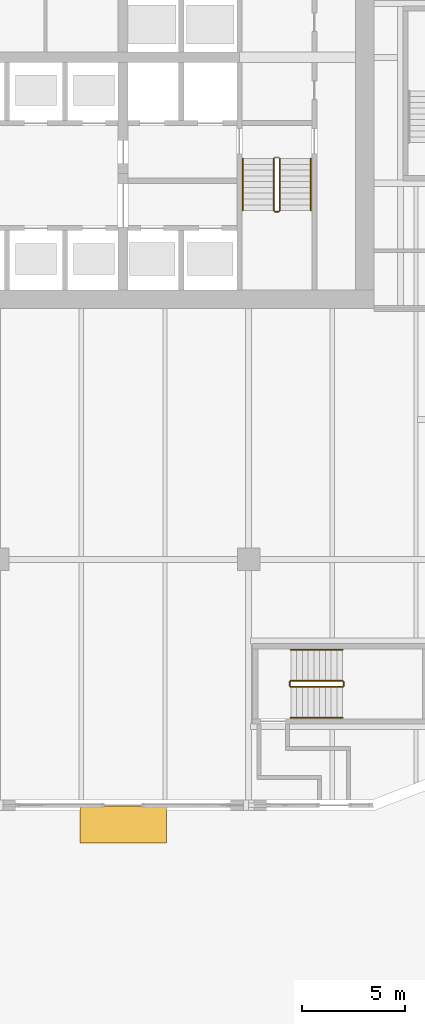
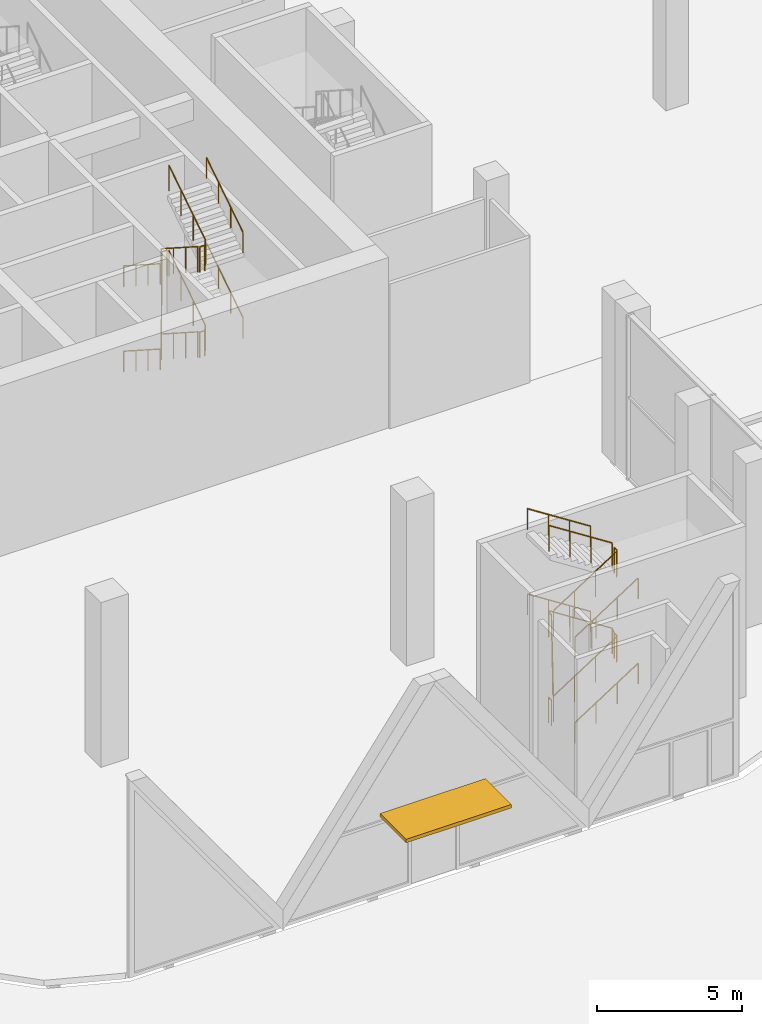
# One storey, part 28 of 36: 17 railings, 1 shading device.
"""IFC4 building model written with IfcOpenShell, lengths in metres."""

from ifc_helpers import new_model, si_unit, direction, frame, origin, origin_2d, place, context, subcontext, project, spatial, rectangle, circle, extrude, material, layer, layer_set, type_object, element, save


model = new_model("IFC4")

# Units and contexts
model_context = context("Model", 3, precision=1e-05, world=origin(), true_north=direction((0.0, 1.0)))
body_context = subcontext(model_context, "Body", "Model", "MODEL_VIEW")
ifc_project = project(units=[si_unit("LENGTHUNIT", "METRE"), si_unit("AREAUNIT", "SQUARE_METRE"), si_unit("VOLUMEUNIT", "CUBIC_METRE"), si_unit("PLANEANGLEUNIT", "RADIAN"), si_unit("MASSUNIT", "GRAM", prefix="KILO")], contexts=[model_context])

# Site, building, storey
site_placement = place(None, origin())
site = spatial("IfcSite", under=ifc_project, at=site_placement, CompositionType="ELEMENT")
building_placement = place(site_placement, origin())
building = spatial("IfcBuilding", under=site, at=building_placement, Name="Tessera Gate Towers", CompositionType="ELEMENT")
storey_placement = place(building_placement, origin())
storey = spatial("IfcBuildingStorey", under=building, at=storey_placement, Name="L00", CompositionType="ELEMENT", Elevation=0.0)

# Shading device
ifc_material_1 = material(Name="Powder-coated steel and laminated glass", Category="steel")
ifc_layer = layer(ifc_material_1, 0.14990234375)
ifc_layer_set = layer_set([ifc_layer], Name="AW1 entrance canopy")
shading_device_type = type_object("IfcShadingDeviceType", Name="AW1 entrance canopy", PredefinedType="AWNING", material=ifc_layer_set)
shading_device_placement = place(storey_placement, frame((42.699951171875, -0.679931640625, 3.25), z_axis=(0.0, 0.0, 1.0), x_axis=(1.0, 0.0, 0.0)))
element("IfcShadingDevice", 1, at=shading_device_placement, inside=storey, type_object=shading_device_type, Name="Entrance canopy T1 AW1-0001", PredefinedType="AWNING", context=body_context, shape_type="SweptSolid", body=[
    extrude(rectangle(XDim=4.199951171875, YDim=1.800048828125, at=origin_2d()), origin(), (0.0, 0.0, 1.0), 0.14990234375),
])

# Railings
ifc_material_2 = material(Name="Steel 350W", Category="steel")
railing_type_1 = type_object("IfcRailingType", Name="STAIR GUARD 1100", PredefinedType="GUARDRAIL", material=ifc_material_2)
railing_1_placement = place(storey_placement, frame((50.27490234375, 31.72509765625, 3.60009765625)))
element("IfcRailing", 2, at=railing_1_placement, inside=storey, type_object=railing_type_1, Name="L00 ST1 stair guard 1", PredefinedType="GUARDRAIL", context=body_context, shape_type="SweptSolid", body=[
    extrude(circle(Radius=0.02392578125, at=origin_2d()), frame((0.0, 0.0, 1.076171875), z_axis=(-1.0, 0.0, 0.0), x_axis=(0.0, -1.0, 0.0)), (0.0, 0.0, 1.0), 0.199951171875),
    extrude(circle(Radius=0.02392578125, at=origin_2d()), frame((-0.199951171875, 0.0, 1.076171875), z_axis=(-0.014630317356, -0.014630317356, -0.999785930901), x_axis=(0.707106781187, -0.707106781187, 0.0)), (0.0, 0.0, 1.0), 3.4208984375),
    extrude(circle(Radius=0.02392578125, at=origin_2d()), frame((-0.25, -0.050048828125, -2.34423828125), z_axis=(0.0, -0.841162588446, 0.540782303519), x_axis=(1.0, 0.0, 0.0)), (0.0, 0.0, 1.0), 2.995849609375),
    extrude(circle(Radius=0.02392578125, at=origin_2d()), frame((-0.25, -2.570068359375, -0.72412109375), z_axis=(0.707106781187, -0.707106781187, 0.0), x_axis=(0.707106781187, 0.707106781187, 0.0)), (0.0, 0.0, 1.0), 0.07080078125),
    extrude(circle(Radius=0.02392578125, at=origin_2d()), frame((-0.199951171875, -2.6201171875, -0.72412109375), z_axis=(1.0, 0.0, 0.0), x_axis=(0.0, 1.0, 0.0)), (0.0, 0.0, 1.0), 0.199951171875),
    extrude(circle(Radius=0.02392578125, at=origin_2d()), frame((0.0, -2.6201171875, -0.72412109375), z_axis=(0.258847668887, 0.258847668887, 0.930588936439), x_axis=(-0.707106781187, 0.707106781187, 0.0)), (0.0, 0.0, 1.0), 0.193359375),
    extrude(circle(Radius=0.02392578125, at=origin_2d()), frame((0.050048828125, -2.570068359375, -0.5439453125), z_axis=(0.0, 0.841162588446, 0.540782303519), x_axis=(-1.0, 0.0, 0.0)), (0.0, 0.0, 1.0), 2.995849609375),
    extrude(circle(Radius=0.02099609375, at=origin_2d()), origin(), (0.0, 0.0, 1.0), 1.052001953125),
    extrude(circle(Radius=0.02099609375, at=origin_2d()), frame((-0.199951171875, 0.0, 0.0)), (0.0, 0.0, 1.0), 1.052001953125),
    extrude(circle(Radius=0.02099609375, at=origin_2d()), frame((-0.216552734375, -0.0166015625, -1.14013671875)), (0.0, 0.0, 1.0), 1.052001953125),
    extrude(circle(Radius=0.02099609375, at=origin_2d()), frame((-0.2333984375, -0.033447265625, -2.280029296875)), (0.0, 0.0, 1.0), 1.052001953125),
    extrude(circle(Radius=0.02099609375, at=origin_2d()), frame((-0.25, -0.050048828125, -3.420166015625)), (0.0, 0.0, 1.0), 1.052001953125),
    extrude(circle(Radius=0.02099609375, at=origin_2d()), frame((-0.25, -0.89013671875, -2.880126953125)), (0.0, 0.0, 1.0), 1.052001953125),
    extrude(circle(Radius=0.02099609375, at=origin_2d()), frame((-0.25, -1.72998046875, -2.340087890625)), (0.0, 0.0, 1.0), 1.052001953125),
    extrude(circle(Radius=0.02099609375, at=origin_2d()), frame((-0.25, -2.570068359375, -1.800048828125)), (0.0, 0.0, 1.0), 1.052001953125),
    extrude(circle(Radius=0.02099609375, at=origin_2d()), frame((-0.199951171875, -2.6201171875, -1.800048828125)), (0.0, 0.0, 1.0), 1.052001953125),
    extrude(circle(Radius=0.02099609375, at=origin_2d()), frame((0.0, -2.6201171875, -1.800048828125)), (0.0, 0.0, 1.0), 1.052001953125),
    extrude(circle(Radius=0.02099609375, at=origin_2d()), frame((0.050048828125, -2.570068359375, -1.6201171875)), (0.0, 0.0, 1.0), 1.052001953125),
    extrude(circle(Radius=0.02099609375, at=origin_2d()), frame((0.050048828125, -1.72998046875, -1.080078125)), (0.0, 0.0, 1.0), 1.052001953125),
    extrude(circle(Radius=0.02099609375, at=origin_2d()), frame((0.050048828125, -0.89013671875, -0.5400390625)), (0.0, 0.0, 1.0), 1.052001953125),
    extrude(circle(Radius=0.02099609375, at=origin_2d()), frame((0.050048828125, -0.050048828125, 0.0)), (0.0, 0.0, 1.0), 1.052001953125),
])
railing_2_placement = place(storey_placement, frame((50.02490234375, 31.675048828125, 3.780029296875)))
element("IfcRailing", 3, at=railing_2_placement, inside=storey, type_object=railing_type_1, Name="L00 ST1 stair guard 5", PredefinedType="GUARDRAIL", context=body_context, shape_type="SweptSolid", body=[
    extrude(circle(Radius=0.02392578125, at=origin_2d()), frame((0.0, 0.0, 1.076171875), z_axis=(0.0, -0.841199657755, 0.540724639528), x_axis=(1.0, 0.0, 0.0)), (0.0, 0.0, 1.0), 2.995849609375),
    extrude(circle(Radius=0.02099609375, at=origin_2d()), origin(), (0.0, 0.0, 1.0), 1.052001953125),
    extrude(circle(Radius=0.02099609375, at=origin_2d()), frame((0.0, -0.840087890625, 0.5400390625)), (0.0, 0.0, 1.0), 1.052001953125),
    extrude(circle(Radius=0.02099609375, at=origin_2d()), frame((0.0, -1.679931640625, 1.079833984375)), (0.0, 0.0, 1.0), 1.052001953125),
    extrude(circle(Radius=0.02099609375, at=origin_2d()), frame((0.0, -2.52001953125, 1.619873046875)), (0.0, 0.0, 1.0), 1.052001953125),
])
railing_3_placement = place(storey_placement, frame((50.074951171875, 29.10498046875, 5.39990234375)))
element("IfcRailing", 4, at=railing_3_placement, inside=storey, type_object=railing_type_1, Name="L00 ST1 stair guard 6", PredefinedType="GUARDRAIL", context=body_context, shape_type="SweptSolid", body=[
    extrude(circle(Radius=0.02392578125, at=origin_2d()), frame((0.0, 0.0, 1.076171875), z_axis=(1.0, 0.0, 0.0), x_axis=(0.0, 1.0, 0.0)), (0.0, 0.0, 1.0), 0.199951171875),
    extrude(circle(Radius=0.02099609375, at=origin_2d()), origin(), (0.0, 0.0, 1.0), 1.052001953125),
    extrude(circle(Radius=0.02099609375, at=origin_2d()), frame((0.199951171875, 0.0, 0.0)), (0.0, 0.0, 1.0), 1.052001953125),
])
railing_4_placement = place(storey_placement, frame((50.324951171875, 29.155029296875, 5.580078125)))
element("IfcRailing", 5, at=railing_4_placement, inside=storey, type_object=railing_type_1, Name="L00 ST1 stair guard 7", PredefinedType="GUARDRAIL", context=body_context, shape_type="SweptSolid", body=[
    extrude(circle(Radius=0.02392578125, at=origin_2d()), frame((0.0, 0.0, 1.076171875), z_axis=(0.0, 0.841199657755, 0.540724639528), x_axis=(-1.0, 0.0, 0.0)), (0.0, 0.0, 1.0), 2.995849609375),
    extrude(circle(Radius=0.02099609375, at=origin_2d()), origin(), (0.0, 0.0, 1.0), 1.052001953125),
    extrude(circle(Radius=0.02099609375, at=origin_2d()), frame((0.0, 0.840087890625, 0.5400390625)), (0.0, 0.0, 1.0), 1.052001953125),
    extrude(circle(Radius=0.02099609375, at=origin_2d()), frame((0.0, 1.679931640625, 1.079833984375)), (0.0, 0.0, 1.0), 1.052001953125),
    extrude(circle(Radius=0.02099609375, at=origin_2d()), frame((0.0, 2.52001953125, 1.619873046875)), (0.0, 0.0, 1.0), 1.052001953125),
])
railing_5_placement = place(storey_placement, frame((50.800048828125, 6.25, 3.60009765625)))
element("IfcRailing", 6, at=railing_5_placement, inside=storey, type_object=railing_type_1, Name="L00 ST4 stair guard 1", PredefinedType="GUARDRAIL", context=body_context, shape_type="SweptSolid", body=[
    extrude(circle(Radius=0.02392578125, at=origin_2d()), frame((0.0, 0.0, 1.076171875), z_axis=(0.0, -1.0, 0.0), x_axis=(1.0, 0.0, 0.0)), (0.0, 0.0, 1.0), 0.199951171875),
    extrude(circle(Radius=0.02392578125, at=origin_2d()), frame((0.0, -0.199951171875, 1.076171875), z_axis=(0.014630317356, -0.014630317356, -0.999785930901), x_axis=(0.707106781187, 0.707106781187, 0.0)), (0.0, 0.0, 1.0), 3.4208984375),
    extrude(circle(Radius=0.02392578125, at=origin_2d()), frame((0.050048828125, -0.25, -2.34423828125), z_axis=(0.841162588446, 0.0, 0.540782303519), x_axis=(0.0, 1.0, 0.0)), (0.0, 0.0, 1.0), 2.995849609375),
    extrude(circle(Radius=0.02392578125, at=origin_2d()), frame((2.570068359375, -0.25, -0.72412109375), z_axis=(0.705375805398, 0.708833529934, 0.0), x_axis=(-0.708833529934, 0.705375805398, 0.0)), (0.0, 0.0, 1.0), 0.070556640625),
    extrude(circle(Radius=0.02392578125, at=origin_2d()), frame((2.619873046875, -0.199951171875, -0.72412109375), z_axis=(0.0, 1.0, 0.0), x_axis=(-1.0, 0.0, 0.0)), (0.0, 0.0, 1.0), 0.199951171875),
    extrude(circle(Radius=0.02392578125, at=origin_2d()), frame((2.619873046875, 0.0, -0.72412109375), z_axis=(-0.257669022063, 0.258932105505, 0.930892496375), x_axis=(-0.708833529934, -0.705375805398, 0.0)), (0.0, 0.0, 1.0), 0.193359375),
    extrude(circle(Radius=0.02392578125, at=origin_2d()), frame((2.570068359375, 0.050048828125, -0.5439453125), z_axis=(-0.841162588446, 0.0, 0.540782303519), x_axis=(0.0, -1.0, 0.0)), (0.0, 0.0, 1.0), 2.995849609375),
    extrude(circle(Radius=0.02099609375, at=origin_2d()), origin(), (0.0, 0.0, 1.0), 1.052001953125),
    extrude(circle(Radius=0.02099609375, at=origin_2d()), frame((0.0, -0.199951171875, 0.0)), (0.0, 0.0, 1.0), 1.052001953125),
    extrude(circle(Radius=0.02099609375, at=origin_2d()), frame((0.0166015625, -0.216552734375, -1.14013671875)), (0.0, 0.0, 1.0), 1.052001953125),
    extrude(circle(Radius=0.02099609375, at=origin_2d()), frame((0.033447265625, -0.2333984375, -2.280029296875)), (0.0, 0.0, 1.0), 1.052001953125),
    extrude(circle(Radius=0.02099609375, at=origin_2d()), frame((0.050048828125, -0.25, -3.420166015625)), (0.0, 0.0, 1.0), 1.052001953125),
    extrude(circle(Radius=0.02099609375, at=origin_2d()), frame((0.89013671875, -0.25, -2.880126953125)), (0.0, 0.0, 1.0), 1.052001953125),
    extrude(circle(Radius=0.02099609375, at=origin_2d()), frame((1.72998046875, -0.25, -2.340087890625)), (0.0, 0.0, 1.0), 1.052001953125),
    extrude(circle(Radius=0.02099609375, at=origin_2d()), frame((2.570068359375, -0.25, -1.800048828125)), (0.0, 0.0, 1.0), 1.052001953125),
    extrude(circle(Radius=0.02099609375, at=origin_2d()), frame((2.619873046875, -0.199951171875, -1.800048828125)), (0.0, 0.0, 1.0), 1.052001953125),
    extrude(circle(Radius=0.02099609375, at=origin_2d()), frame((2.619873046875, 0.0, -1.800048828125)), (0.0, 0.0, 1.0), 1.052001953125),
    extrude(circle(Radius=0.02099609375, at=origin_2d()), frame((2.570068359375, 0.050048828125, -1.6201171875)), (0.0, 0.0, 1.0), 1.052001953125),
    extrude(circle(Radius=0.02099609375, at=origin_2d()), frame((1.72998046875, 0.050048828125, -1.080078125)), (0.0, 0.0, 1.0), 1.052001953125),
    extrude(circle(Radius=0.02099609375, at=origin_2d()), frame((0.89013671875, 0.050048828125, -0.5400390625)), (0.0, 0.0, 1.0), 1.052001953125),
    extrude(circle(Radius=0.02099609375, at=origin_2d()), frame((0.050048828125, 0.050048828125, 0.0)), (0.0, 0.0, 1.0), 1.052001953125),
])
railing_6_placement = place(storey_placement, frame((50.85009765625, 6.0, 3.780029296875)))
element("IfcRailing", 7, at=railing_6_placement, inside=storey, type_object=railing_type_1, Name="L00 ST4 stair guard 5", PredefinedType="GUARDRAIL", context=body_context, shape_type="SweptSolid", body=[
    extrude(circle(Radius=0.02392578125, at=origin_2d()), frame((0.0, 0.0, 1.076171875), z_axis=(0.841199657755, 0.0, 0.540724639528), x_axis=(0.0, 1.0, 0.0)), (0.0, 0.0, 1.0), 2.995849609375),
    extrude(circle(Radius=0.02099609375, at=origin_2d()), origin(), (0.0, 0.0, 1.0), 1.052001953125),
    extrude(circle(Radius=0.02099609375, at=origin_2d()), frame((0.840087890625, 0.0, 0.5400390625)), (0.0, 0.0, 1.0), 1.052001953125),
    extrude(circle(Radius=0.02099609375, at=origin_2d()), frame((1.679931640625, 0.0, 1.079833984375)), (0.0, 0.0, 1.0), 1.052001953125),
    extrude(circle(Radius=0.02099609375, at=origin_2d()), frame((2.52001953125, 0.0, 1.619873046875)), (0.0, 0.0, 1.0), 1.052001953125),
])
railing_7_placement = place(storey_placement, frame((53.419921875, 6.050048828125, 5.39990234375)))
element("IfcRailing", 8, at=railing_7_placement, inside=storey, type_object=railing_type_1, Name="L00 ST4 stair guard 6", PredefinedType="GUARDRAIL", context=body_context, shape_type="SweptSolid", body=[
    extrude(circle(Radius=0.02392578125, at=origin_2d()), frame((0.0, 0.0, 1.076171875), z_axis=(0.0, 1.0, 0.0), x_axis=(-1.0, 0.0, 0.0)), (0.0, 0.0, 1.0), 0.199951171875),
    extrude(circle(Radius=0.02099609375, at=origin_2d()), origin(), (0.0, 0.0, 1.0), 1.052001953125),
    extrude(circle(Radius=0.02099609375, at=origin_2d()), frame((0.0, 0.199951171875, 0.0)), (0.0, 0.0, 1.0), 1.052001953125),
])
railing_8_placement = place(storey_placement, frame((53.3701171875, 6.300048828125, 5.580078125)))
element("IfcRailing", 9, at=railing_8_placement, inside=storey, type_object=railing_type_1, Name="L00 ST4 stair guard 7", PredefinedType="GUARDRAIL", context=body_context, shape_type="SweptSolid", body=[
    extrude(circle(Radius=0.02392578125, at=origin_2d()), frame((0.0, 0.0, 1.076171875), z_axis=(-0.841199657755, 0.0, 0.540724639528), x_axis=(0.0, -1.0, 0.0)), (0.0, 0.0, 1.0), 2.995849609375),
    extrude(circle(Radius=0.02099609375, at=origin_2d()), origin(), (0.0, 0.0, 1.0), 1.052001953125),
    extrude(circle(Radius=0.02099609375, at=origin_2d()), frame((-0.840087890625, 0.0, 0.5400390625)), (0.0, 0.0, 1.0), 1.052001953125),
    extrude(circle(Radius=0.02099609375, at=origin_2d()), frame((-1.679931640625, 0.0, 1.079833984375)), (0.0, 0.0, 1.0), 1.052001953125),
    extrude(circle(Radius=0.02099609375, at=origin_2d()), frame((-2.52001953125, 0.0, 1.619873046875)), (0.0, 0.0, 1.0), 1.052001953125),
])
railing_9_placement = place(storey_placement, frame((50.800048828125, 6.050048828125, 0.0)))
element("IfcRailing", 10, at=railing_9_placement, inside=storey, type_object=railing_type_1, Name="L00 ST4 stair guard 8", PredefinedType="GUARDRAIL", context=body_context, shape_type="SweptSolid", body=[
    extrude(circle(Radius=0.02392578125, at=origin_2d()), frame((0.0, 0.0, 1.076171875), z_axis=(0.0, 1.0, 0.0), x_axis=(-1.0, 0.0, 0.0)), (0.0, 0.0, 1.0), 0.199951171875),
    extrude(circle(Radius=0.02099609375, at=origin_2d()), origin(), (0.0, 0.0, 1.0), 1.052001953125),
    extrude(circle(Radius=0.02099609375, at=origin_2d()), frame((0.0, 0.199951171875, 0.0)), (0.0, 0.0, 1.0), 1.052001953125),
])
ifc_material_3 = material(Name="Steel 350W", Category="steel")
railing_type_2 = type_object("IfcRailingType", Name="STAIR HANDRAIL 900", PredefinedType="HANDRAIL", material=ifc_material_3)
railing_10_placement = place(storey_placement, frame((48.52490234375, 31.675048828125, 0.179931640625)))
element("IfcRailing", 11, at=railing_10_placement, inside=storey, type_object=railing_type_2, Name="L00 ST1 stair handrail 1", PredefinedType="HANDRAIL", context=body_context, shape_type="SweptSolid", body=[
    extrude(circle(Radius=0.02392578125, at=origin_2d()), frame((0.0, 0.0, 0.8759765625), z_axis=(0.0, -0.841162588446, 0.540782303519), x_axis=(1.0, 0.0, 0.0)), (0.0, 0.0, 1.0), 2.995849609375),
    extrude(circle(Radius=0.02099609375, at=origin_2d()), origin(), (0.0, 0.0, 1.0), 0.851806640625),
    extrude(circle(Radius=0.02099609375, at=origin_2d()), frame((0.0, -0.840087890625, 0.5400390625)), (0.0, 0.0, 1.0), 0.851806640625),
    extrude(circle(Radius=0.02099609375, at=origin_2d()), frame((0.0, -1.679931640625, 1.080078125)), (0.0, 0.0, 1.0), 0.851806640625),
    extrude(circle(Radius=0.02099609375, at=origin_2d()), frame((0.0, -2.52001953125, 1.6201171875)), (0.0, 0.0, 1.0), 0.851806640625),
])
railing_11_placement = place(storey_placement, frame((51.824951171875, 29.155029296875, 1.97998046875)))
element("IfcRailing", 12, at=railing_11_placement, inside=storey, type_object=railing_type_2, Name="L00 ST1 stair handrail 2", PredefinedType="HANDRAIL", context=body_context, shape_type="SweptSolid", body=[
    extrude(circle(Radius=0.02392578125, at=origin_2d()), frame((0.0, 0.0, 0.8759765625), z_axis=(0.0, 0.841162588446, 0.540782303519), x_axis=(-1.0, 0.0, 0.0)), (0.0, 0.0, 1.0), 2.995849609375),
    extrude(circle(Radius=0.02099609375, at=origin_2d()), origin(), (0.0, 0.0, 1.0), 0.851806640625),
    extrude(circle(Radius=0.02099609375, at=origin_2d()), frame((0.0, 0.840087890625, 0.5400390625)), (0.0, 0.0, 1.0), 0.851806640625),
    extrude(circle(Radius=0.02099609375, at=origin_2d()), frame((0.0, 1.679931640625, 1.080078125)), (0.0, 0.0, 1.0), 0.851806640625),
    extrude(circle(Radius=0.02099609375, at=origin_2d()), frame((0.0, 2.52001953125, 1.6201171875)), (0.0, 0.0, 1.0), 0.851806640625),
])
railing_12_placement = place(storey_placement, frame((48.52490234375, 31.675048828125, 3.780029296875)))
element("IfcRailing", 13, at=railing_12_placement, inside=storey, type_object=railing_type_2, Name="L00 ST1 stair handrail 3", PredefinedType="HANDRAIL", context=body_context, shape_type="SweptSolid", body=[
    extrude(circle(Radius=0.02392578125, at=origin_2d()), frame((0.0, 0.0, 0.8759765625), z_axis=(0.0, -0.841199657755, 0.540724639528), x_axis=(1.0, 0.0, 0.0)), (0.0, 0.0, 1.0), 2.995849609375),
    extrude(circle(Radius=0.02099609375, at=origin_2d()), origin(), (0.0, 0.0, 1.0), 0.851806640625),
    extrude(circle(Radius=0.02099609375, at=origin_2d()), frame((0.0, -0.840087890625, 0.5400390625)), (0.0, 0.0, 1.0), 0.851806640625),
    extrude(circle(Radius=0.02099609375, at=origin_2d()), frame((0.0, -1.679931640625, 1.079833984375)), (0.0, 0.0, 1.0), 0.851806640625),
    extrude(circle(Radius=0.02099609375, at=origin_2d()), frame((0.0, -2.52001953125, 1.619873046875)), (0.0, 0.0, 1.0), 0.851806640625),
])
railing_13_placement = place(storey_placement, frame((51.824951171875, 29.155029296875, 5.580078125)))
element("IfcRailing", 14, at=railing_13_placement, inside=storey, type_object=railing_type_2, Name="L00 ST1 stair handrail 4", PredefinedType="HANDRAIL", context=body_context, shape_type="SweptSolid", body=[
    extrude(circle(Radius=0.02392578125, at=origin_2d()), frame((0.0, 0.0, 0.8759765625), z_axis=(0.0, 0.841199657755, 0.540724639528), x_axis=(-1.0, 0.0, 0.0)), (0.0, 0.0, 1.0), 2.995849609375),
    extrude(circle(Radius=0.02099609375, at=origin_2d()), origin(), (0.0, 0.0, 1.0), 0.851806640625),
    extrude(circle(Radius=0.02099609375, at=origin_2d()), frame((0.0, 0.840087890625, 0.5400390625)), (0.0, 0.0, 1.0), 0.851806640625),
    extrude(circle(Radius=0.02099609375, at=origin_2d()), frame((0.0, 1.679931640625, 1.079833984375)), (0.0, 0.0, 1.0), 0.851806640625),
    extrude(circle(Radius=0.02099609375, at=origin_2d()), frame((0.0, 2.52001953125, 1.619873046875)), (0.0, 0.0, 1.0), 0.851806640625),
])
railing_14_placement = place(storey_placement, frame((50.85009765625, 4.5, 0.179931640625)))
element("IfcRailing", 15, at=railing_14_placement, inside=storey, type_object=railing_type_2, Name="L00 ST4 stair handrail 1", PredefinedType="HANDRAIL", context=body_context, shape_type="SweptSolid", body=[
    extrude(circle(Radius=0.02392578125, at=origin_2d()), frame((0.0, 0.0, 0.8759765625), z_axis=(0.841162588446, 0.0, 0.540782303519), x_axis=(0.0, 1.0, 0.0)), (0.0, 0.0, 1.0), 2.995849609375),
    extrude(circle(Radius=0.02099609375, at=origin_2d()), origin(), (0.0, 0.0, 1.0), 0.851806640625),
    extrude(circle(Radius=0.02099609375, at=origin_2d()), frame((0.840087890625, 0.0, 0.5400390625)), (0.0, 0.0, 1.0), 0.851806640625),
    extrude(circle(Radius=0.02099609375, at=origin_2d()), frame((1.679931640625, 0.0, 1.080078125)), (0.0, 0.0, 1.0), 0.851806640625),
    extrude(circle(Radius=0.02099609375, at=origin_2d()), frame((2.52001953125, 0.0, 1.6201171875)), (0.0, 0.0, 1.0), 0.851806640625),
])
railing_15_placement = place(storey_placement, frame((53.3701171875, 7.800048828125, 1.97998046875)))
element("IfcRailing", 16, at=railing_15_placement, inside=storey, type_object=railing_type_2, Name="L00 ST4 stair handrail 2", PredefinedType="HANDRAIL", context=body_context, shape_type="SweptSolid", body=[
    extrude(circle(Radius=0.02392578125, at=origin_2d()), frame((0.0, 0.0, 0.8759765625), z_axis=(-0.841162588446, 0.0, 0.540782303519), x_axis=(0.0, -1.0, 0.0)), (0.0, 0.0, 1.0), 2.995849609375),
    extrude(circle(Radius=0.02099609375, at=origin_2d()), origin(), (0.0, 0.0, 1.0), 0.851806640625),
    extrude(circle(Radius=0.02099609375, at=origin_2d()), frame((-0.840087890625, 0.0, 0.5400390625)), (0.0, 0.0, 1.0), 0.851806640625),
    extrude(circle(Radius=0.02099609375, at=origin_2d()), frame((-1.679931640625, 0.0, 1.080078125)), (0.0, 0.0, 1.0), 0.851806640625),
    extrude(circle(Radius=0.02099609375, at=origin_2d()), frame((-2.52001953125, 0.0, 1.6201171875)), (0.0, 0.0, 1.0), 0.851806640625),
])
railing_16_placement = place(storey_placement, frame((50.85009765625, 4.5, 3.780029296875)))
element("IfcRailing", 17, at=railing_16_placement, inside=storey, type_object=railing_type_2, Name="L00 ST4 stair handrail 3", PredefinedType="HANDRAIL", context=body_context, shape_type="SweptSolid", body=[
    extrude(circle(Radius=0.02392578125, at=origin_2d()), frame((0.0, 0.0, 0.8759765625), z_axis=(0.841199657755, 0.0, 0.540724639528), x_axis=(0.0, 1.0, 0.0)), (0.0, 0.0, 1.0), 2.995849609375),
    extrude(circle(Radius=0.02099609375, at=origin_2d()), origin(), (0.0, 0.0, 1.0), 0.851806640625),
    extrude(circle(Radius=0.02099609375, at=origin_2d()), frame((0.840087890625, 0.0, 0.5400390625)), (0.0, 0.0, 1.0), 0.851806640625),
    extrude(circle(Radius=0.02099609375, at=origin_2d()), frame((1.679931640625, 0.0, 1.079833984375)), (0.0, 0.0, 1.0), 0.851806640625),
    extrude(circle(Radius=0.02099609375, at=origin_2d()), frame((2.52001953125, 0.0, 1.619873046875)), (0.0, 0.0, 1.0), 0.851806640625),
])
railing_17_placement = place(storey_placement, frame((53.3701171875, 7.800048828125, 5.580078125)))
element("IfcRailing", 18, at=railing_17_placement, inside=storey, type_object=railing_type_2, Name="L00 ST4 stair handrail 4", PredefinedType="HANDRAIL", context=body_context, shape_type="SweptSolid", body=[
    extrude(circle(Radius=0.02392578125, at=origin_2d()), frame((0.0, 0.0, 0.8759765625), z_axis=(-0.841199657755, 0.0, 0.540724639528), x_axis=(0.0, -1.0, 0.0)), (0.0, 0.0, 1.0), 2.995849609375),
    extrude(circle(Radius=0.02099609375, at=origin_2d()), origin(), (0.0, 0.0, 1.0), 0.851806640625),
    extrude(circle(Radius=0.02099609375, at=origin_2d()), frame((-0.840087890625, 0.0, 0.5400390625)), (0.0, 0.0, 1.0), 0.851806640625),
    extrude(circle(Radius=0.02099609375, at=origin_2d()), frame((-1.679931640625, 0.0, 1.079833984375)), (0.0, 0.0, 1.0), 0.851806640625),
    extrude(circle(Radius=0.02099609375, at=origin_2d()), frame((-2.52001953125, 0.0, 1.619873046875)), (0.0, 0.0, 1.0), 0.851806640625),
])

save(model, "model.ifc")
